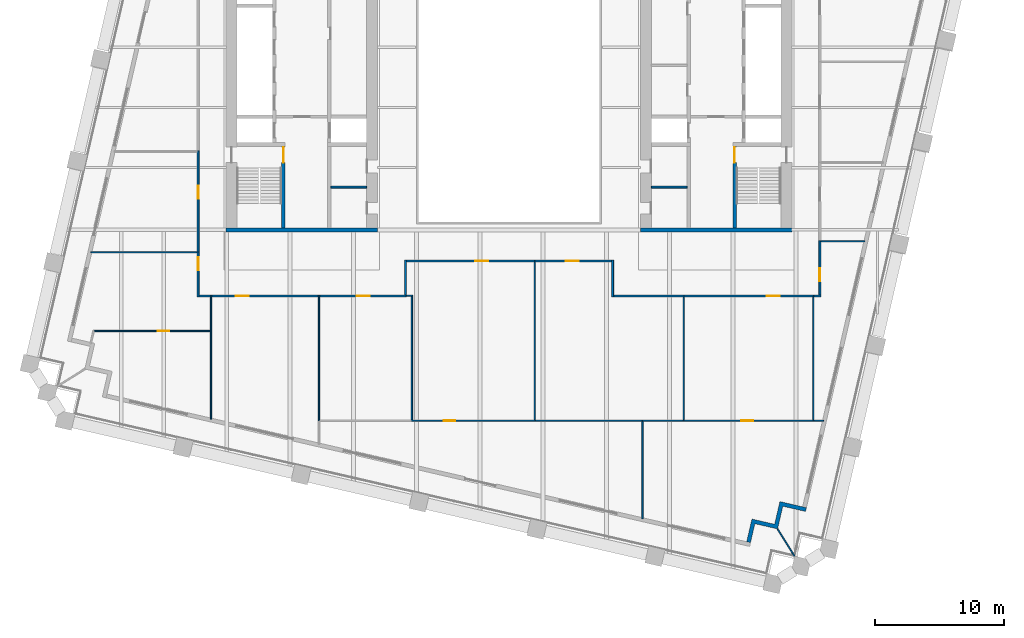
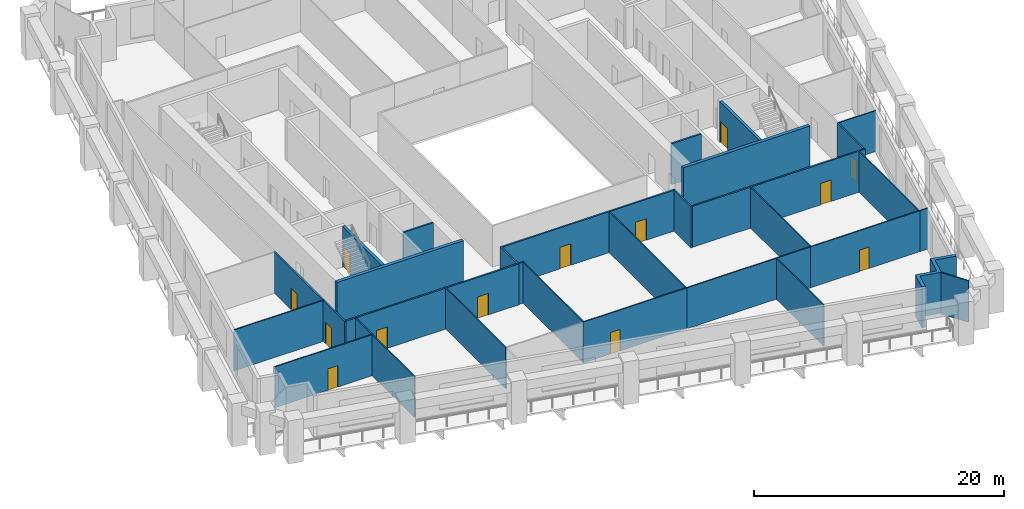
# One storey, part 4 of 10: 38 walls, 13 doors, 13 openings.
"""IFC4 building model written with IfcOpenShell, lengths in metres."""

from ifc_helpers import new_model, si_unit, direction, frame, frame_2d, origin, place, context, subcontext, project, spatial, polyline, rectangle, outline, extrude, material, layer, layer_set, type_object, element, fill, save


model = new_model("IFC4")

# Units and contexts
model_context = context("Model", 3, precision=1e-05, world=origin(), true_north=direction((0.0, 1.0)))
body_context = subcontext(model_context, "Body", "Model", "MODEL_VIEW")
ifc_project = project(units=[si_unit("LENGTHUNIT", "METRE"), si_unit("AREAUNIT", "SQUARE_METRE"), si_unit("VOLUMEUNIT", "CUBIC_METRE"), si_unit("PLANEANGLEUNIT", "RADIAN"), si_unit("MASSUNIT", "GRAM", prefix="KILO")], contexts=[model_context])

# Site, building, storey
site_placement = place(None, origin())
site = spatial("IfcSite", under=ifc_project, at=site_placement, CompositionType="ELEMENT")
building_placement = place(site_placement, origin())
building = spatial("IfcBuilding", under=site, at=building_placement, Name="Ogive Exchange Tower", CompositionType="ELEMENT")
storey_placement = place(building_placement, frame((0.0, 0.0, 118.199951171875)))
storey = spatial("IfcBuildingStorey", under=building, at=storey_placement, Name="L25", CompositionType="ELEMENT", Elevation=118.199951171875)

# Walls
ifc_material_1 = material(Name="Gypsum board partition")
ifc_layer_1 = layer(ifc_material_1, 0.14990234375)
ifc_layer_set_1 = layer_set([ifc_layer_1], Name="Core room partition 150 gypsum")
wall_type_1 = type_object("IfcWallType", Name="Core room partition 150 gypsum", PredefinedType="PARTITIONING", material=ifc_layer_set_1)
for number, where, z_axis, x_axis, name in (
    (1, (-13.75, 0.699951171875, 0.0), (0.0, 0.0, 1.0), (1.0, 0.0, 0.0), "W south room partition"),
    (2, (11.0, 0.699951171875, 0.0), (0.0, 0.0, 1.0), (1.0, 0.0, 0.0), "E south room partition"),
):
    element("IfcWall", number, at=place(storey_placement, frame(where, z_axis=z_axis, x_axis=x_axis)), inside=storey, type_object=wall_type_1, Name=name, PredefinedType="PARTITIONING", context=body_context, shape_type="SweptSolid", body=[
        extrude(rectangle(XDim=2.75, YDim=0.14990234375, at=frame_2d((1.375, 0.0))), origin(), (0.0, 0.0, 1.0), 4.0),
    ])

# Wall, opening, door
ifc_material_2 = material(Name="Fire partition EI 60 150")
ifc_layer_2 = layer(ifc_material_2, 0.14990234375)
ifc_layer_set_2 = layer_set([ifc_layer_2], Name="Fire partition EI 60 150")
wall_type_2 = type_object("IfcWallType", Name="Fire partition EI 60 150", PredefinedType="PARTITIONING", material=ifc_layer_set_2)
wall_1_placement = place(storey_placement, frame((-24.0, -7.77490234375, 0.0), z_axis=(0.0, 0.0, 1.0), x_axis=(0.0, 1.0, 0.0)))
wall_1 = element("IfcWall", 3, at=wall_1_placement, inside=storey, type_object=wall_type_2, Name="L25-PWL-003", PredefinedType="PARTITIONING", context=body_context, shape_type="SweptSolid", body=[
    extrude(rectangle(XDim=3.454833984375, YDim=0.14990234375, at=frame_2d((1.7275390625, 0.0))), origin(), (0.0, 0.0, 1.0), 4.0),
])
opening_1_placement = place(wall_1_placement, frame((2.054931640625, 0.0, 0.0)))
opening_1 = element("IfcOpeningElement", 4, at=opening_1_placement, cuts=wall_1, Name="Opening L25-I22", PredefinedType="OPENING", context=body_context, shape_type="SweptSolid", body=[
    extrude(rectangle(XDim=1.0, YDim=2.10009765625, at=frame_2d((0.5, 1.050048828125))), frame((0.0, 0.0849609375, 0.0), z_axis=(0.0, -1.0, 0.0), x_axis=(1.0, 0.0, 0.0)), (0.0, 0.0, 1.0), 0.169921875),
])
ifc_material_3 = material(Name="Fire door FD 30S 1000 x 2100")
door_type_1 = type_object("IfcDoorType", Name="Fire door FD 30S 1000 x 2100", OperationType="NOTDEFINED", PredefinedType="DOOR", material=ifc_material_3)
door_1_placement = place(opening_1_placement, origin())
door_1 = element("IfcDoor", 5, at=door_1_placement, inside=storey, type_object=door_type_1, Name="L25-IDR-022", ObjectType="DT3", OperationType="SINGLE_SWING_LEFT", OverallHeight=2.10009765625, OverallWidth=1.0, PredefinedType="DOOR", context=body_context, shape_type="SweptSolid", body=[
    extrude(rectangle(XDim=1.0, YDim=2.10009765625, at=frame_2d((0.5, 1.050048828125))), frame((0.0, 0.02490234375, 0.0), z_axis=(0.0, -1.0, 0.0), x_axis=(1.0, 0.0, 0.0)), (0.0, 0.0, 1.0), 0.050048828125),
])
fill(opening_1, door_1)

wall_2_placement = place(storey_placement, frame((-24.0, -4.320068359375, 0.0), z_axis=(0.0, 0.0, 1.0), x_axis=(0.0, 1.0, 0.0)))
wall_2 = element("IfcWall", 6, at=wall_2_placement, inside=storey, type_object=wall_type_2, Name="L25-PWL-005", PredefinedType="PARTITIONING", context=body_context, shape_type="SweptSolid", body=[
    extrude(rectangle(XDim=7.820068359375, YDim=0.14990234375, at=frame_2d((3.91015625, 0.0))), origin(), (0.0, 0.0, 1.0), 4.0),
])
opening_2_placement = place(wall_2_placement, frame((4.1201171875, 0.0, 0.0)))
opening_2 = element("IfcOpeningElement", 7, at=opening_2_placement, cuts=wall_2, Name="Opening L25-I21", PredefinedType="OPENING", context=body_context, shape_type="SweptSolid", body=[
    extrude(rectangle(XDim=1.0, YDim=2.10009765625, at=frame_2d((0.5, 1.050048828125))), frame((0.0, 0.0849609375, 0.0), z_axis=(0.0, -1.0, 0.0), x_axis=(1.0, 0.0, 0.0)), (0.0, 0.0, 1.0), 0.169921875),
])
door_2_placement = place(opening_2_placement, origin())
door_2 = element("IfcDoor", 8, at=door_2_placement, inside=storey, type_object=door_type_1, Name="L25-IDR-021", ObjectType="DT3", OperationType="SINGLE_SWING_LEFT", OverallHeight=2.10009765625, OverallWidth=1.0, PredefinedType="DOOR", context=body_context, shape_type="SweptSolid", body=[
    extrude(rectangle(XDim=1.0, YDim=2.10009765625, at=frame_2d((0.5, 1.050048828125))), frame((0.0, 0.02490234375, 0.0), z_axis=(0.0, -1.0, 0.0), x_axis=(1.0, 0.0, 0.0)), (0.0, 0.0, 1.0), 0.050048828125),
])
fill(opening_2, door_2)

# Wall
wall_3_placement = place(storey_placement, frame((-23.06005859375, -7.699951171875, 0.0), z_axis=(0.0, 0.0, 1.0), x_axis=(-1.0, 0.0, 0.0)))
element("IfcWall", 9, at=wall_3_placement, inside=storey, type_object=wall_type_2, Name="L25-PWL-013", PredefinedType="PARTITIONING", context=body_context, shape_type="SweptSolid", body=[
    extrude(rectangle(XDim=0.864990234375, YDim=0.14990234375, at=frame_2d((0.4326171875, 0.0))), origin(), (0.0, 0.0, 1.0), 4.0),
])

# Wall, opening, door
wall_4_placement = place(storey_placement, frame((-14.719970703125, -7.699951171875, 0.0), z_axis=(0.0, 0.0, 1.0), x_axis=(-1.0, 0.0, 0.0)))
wall_4 = element("IfcWall", 10, at=wall_4_placement, inside=storey, type_object=wall_type_2, Name="L25-PWL-017", PredefinedType="PARTITIONING", context=body_context, shape_type="SweptSolid", body=[
    extrude(rectangle(XDim=8.239990234375, YDim=0.14990234375, at=frame_2d((4.1201171875, 0.0))), origin(), (0.0, 0.0, 1.0), 4.0),
])
opening_3_placement = place(wall_4_placement, frame((5.389892578125, 0.0, 0.0)))
opening_3 = element("IfcOpeningElement", 11, at=opening_3_placement, cuts=wall_4, Name="Opening L25-I20", PredefinedType="OPENING", context=body_context, shape_type="SweptSolid", body=[
    extrude(rectangle(XDim=1.0, YDim=2.10009765625, at=frame_2d((0.5, 1.050048828125))), frame((0.0, 0.0849609375, 0.0), z_axis=(0.0, -1.0, 0.0), x_axis=(1.0, 0.0, 0.0)), (0.0, 0.0, 1.0), 0.169921875),
])
door_3_placement = place(opening_3_placement, origin())
door_3 = element("IfcDoor", 12, at=door_3_placement, inside=storey, type_object=door_type_1, Name="L25-IDR-020", ObjectType="DT3", OperationType="SINGLE_SWING_LEFT", OverallHeight=2.10009765625, OverallWidth=1.0, PredefinedType="DOOR", context=body_context, shape_type="SweptSolid", body=[
    extrude(rectangle(XDim=1.0, YDim=2.10009765625, at=frame_2d((0.5, 1.050048828125))), frame((0.0, 0.02490234375, 0.0), z_axis=(0.0, -1.0, 0.0), x_axis=(1.0, 0.0, 0.0)), (0.0, 0.0, 1.0), 0.050048828125),
])
fill(opening_3, door_3)

wall_5_placement = place(storey_placement, frame((-7.925048828125, -7.699951171875, 0.0), z_axis=(0.0, 0.0, 1.0), x_axis=(-1.0, 0.0, 0.0)))
wall_5 = element("IfcWall", 13, at=wall_5_placement, inside=storey, type_object=wall_type_2, Name="L25-PWL-021", PredefinedType="PARTITIONING", context=body_context, shape_type="SweptSolid", body=[
    extrude(rectangle(XDim=6.695068359375, YDim=0.14990234375, at=frame_2d((3.34765625, 0.0))), origin(), (0.0, 0.0, 1.0), 4.0),
])
opening_4_placement = place(wall_5_placement, frame((2.844970703125, 0.0, 0.0)))
opening_4 = element("IfcOpeningElement", 14, at=opening_4_placement, cuts=wall_5, Name="Opening L25-I03", PredefinedType="OPENING", context=body_context, shape_type="SweptSolid", body=[
    extrude(rectangle(XDim=1.0, YDim=2.10009765625, at=frame_2d((0.5, 1.050048828125))), frame((0.0, 0.0849609375, 0.0), z_axis=(0.0, -1.0, 0.0), x_axis=(1.0, 0.0, 0.0)), (0.0, 0.0, 1.0), 0.169921875),
])
door_4_placement = place(opening_4_placement, origin())
door_4 = element("IfcDoor", 15, at=door_4_placement, inside=storey, type_object=door_type_1, Name="L25-IDR-003", ObjectType="DT3", OperationType="SINGLE_SWING_LEFT", OverallHeight=2.10009765625, OverallWidth=1.0, PredefinedType="DOOR", context=body_context, shape_type="SweptSolid", body=[
    extrude(rectangle(XDim=1.0, YDim=2.10009765625, at=frame_2d((0.5, 1.050048828125))), frame((0.0, 0.02490234375, 0.0), z_axis=(0.0, -1.0, 0.0), x_axis=(1.0, 0.0, 0.0)), (0.0, 0.0, 1.0), 0.050048828125),
])
fill(opening_4, door_4)

# Wall
wall_6_placement = place(storey_placement, frame((-7.989990234375, -4.925048828125, 0.0), z_axis=(0.0, 0.0, 1.0), x_axis=(0.0, -1.0, 0.0)))
element("IfcWall", 16, at=wall_6_placement, inside=storey, type_object=wall_type_2, Name="L25-PWL-025", PredefinedType="PARTITIONING", context=body_context, shape_type="SweptSolid", body=[
    extrude(rectangle(XDim=2.68994140625, YDim=0.14990234375, at=frame_2d((1.344970703125, 0.0))), origin(), (0.0, 0.0, 1.0), 4.0),
])

# Wall, opening, door
wall_7_placement = place(storey_placement, frame((2.0400390625, -5.0, 0.0), z_axis=(0.0, 0.0, 1.0), x_axis=(-1.0, 0.0, 0.0)))
wall_7 = element("IfcWall", 17, at=wall_7_placement, inside=storey, type_object=wall_type_2, Name="L25-PWL-032", PredefinedType="PARTITIONING", context=body_context, shape_type="SweptSolid", body=[
    extrude(rectangle(XDim=9.955078125, YDim=0.14990234375, at=frame_2d((4.9775390625, 0.0))), origin(), (0.0, 0.0, 1.0), 4.0),
])
opening_5_placement = place(wall_7_placement, frame((3.6298828125, 0.0, 0.0)))
opening_5 = element("IfcOpeningElement", 18, at=opening_5_placement, cuts=wall_7, Name="Opening L25-I04", PredefinedType="OPENING", context=body_context, shape_type="SweptSolid", body=[
    extrude(rectangle(XDim=1.0, YDim=2.10009765625, at=frame_2d((0.5, 1.050048828125))), frame((0.0, 0.0849609375, 0.0), z_axis=(0.0, -1.0, 0.0), x_axis=(1.0, 0.0, 0.0)), (0.0, 0.0, 1.0), 0.169921875),
])
door_5_placement = place(opening_5_placement, origin())
door_5 = element("IfcDoor", 19, at=door_5_placement, inside=storey, type_object=door_type_1, Name="L25-IDR-004", ObjectType="DT3", OperationType="SINGLE_SWING_RIGHT", OverallHeight=2.10009765625, OverallWidth=1.0, PredefinedType="DOOR", context=body_context, shape_type="SweptSolid", body=[
    extrude(rectangle(XDim=1.0, YDim=2.10009765625, at=frame_2d((0.5, 1.050048828125))), frame((0.0, 0.02490234375, 0.0), z_axis=(0.0, -1.0, 0.0), x_axis=(1.0, 0.0, 0.0)), (0.0, 0.0, 1.0), 0.050048828125),
])
fill(opening_5, door_5)

# Wall
wall_8_placement = place(storey_placement, frame((8.0, -7.77490234375, 0.0), z_axis=(0.0, 0.0, 1.0), x_axis=(0.0, 1.0, 0.0)))
element("IfcWall", 20, at=wall_8_placement, inside=storey, type_object=wall_type_2, Name="L25-PWL-041", PredefinedType="PARTITIONING", context=body_context, shape_type="SweptSolid", body=[
    extrude(rectangle(XDim=2.849853515625, YDim=0.14990234375, at=frame_2d((1.4248046875, 0.0))), origin(), (0.0, 0.0, 1.0), 4.0),
])

# Wall, opening, door
wall_9_placement = place(storey_placement, frame((7.925048828125, -5.0, 0.0), z_axis=(0.0, 0.0, 1.0), x_axis=(-1.0, 0.0, 0.0)))
wall_9 = element("IfcWall", 21, at=wall_9_placement, inside=storey, type_object=wall_type_2, Name="L25-PWL-042", PredefinedType="PARTITIONING", context=body_context, shape_type="SweptSolid", body=[
    extrude(rectangle(XDim=5.93505859375, YDim=0.14990234375, at=frame_2d((2.967529296875, 0.0))), origin(), (0.0, 0.0, 1.0), 4.0),
])
opening_6_placement = place(wall_9_placement, frame((2.534912109375, 0.0, 0.0)))
opening_6 = element("IfcOpeningElement", 22, at=opening_6_placement, cuts=wall_9, Name="Opening L25-I05", PredefinedType="OPENING", context=body_context, shape_type="SweptSolid", body=[
    extrude(rectangle(XDim=1.0, YDim=2.10009765625, at=frame_2d((0.5, 1.050048828125))), frame((0.0, 0.0849609375, 0.0), z_axis=(0.0, -1.0, 0.0), x_axis=(1.0, 0.0, 0.0)), (0.0, 0.0, 1.0), 0.169921875),
])
door_6_placement = place(opening_6_placement, origin())
door_6 = element("IfcDoor", 23, at=door_6_placement, inside=storey, type_object=door_type_1, Name="L25-IDR-005", ObjectType="DT3", OperationType="SINGLE_SWING_LEFT", OverallHeight=2.10009765625, OverallWidth=1.0, PredefinedType="DOOR", context=body_context, shape_type="SweptSolid", body=[
    extrude(rectangle(XDim=1.0, YDim=2.10009765625, at=frame_2d((0.5, 1.050048828125))), frame((0.0, 0.02490234375, 0.0), z_axis=(0.0, -1.0, 0.0), x_axis=(1.0, 0.0, 0.0)), (0.0, 0.0, 1.0), 0.050048828125),
])
fill(opening_6, door_6)

# Wall
wall_10_placement = place(storey_placement, frame((13.5, -7.699951171875, 0.0), z_axis=(0.0, 0.0, 1.0), x_axis=(-1.0, 0.0, 0.0)))
element("IfcWall", 24, at=wall_10_placement, inside=storey, type_object=wall_type_2, Name="L25-PWL-047", PredefinedType="PARTITIONING", context=body_context, shape_type="SweptSolid", body=[
    extrude(rectangle(XDim=5.425048828125, YDim=0.14990234375, at=frame_2d((2.71240234375, 0.0))), origin(), (0.0, 0.0, 1.0), 4.0),
])

# Wall, opening, door
wall_11_placement = place(storey_placement, frame((23.550048828125, -7.699951171875, 0.0), z_axis=(0.0, 0.0, 1.0), x_axis=(-1.0, 0.0, 0.0)))
wall_11 = element("IfcWall", 25, at=wall_11_placement, inside=storey, type_object=wall_type_2, Name="L25-PWL-054", PredefinedType="PARTITIONING", context=body_context, shape_type="SweptSolid", body=[
    extrude(rectangle(XDim=10.050048828125, YDim=0.14990234375, at=frame_2d((5.02490234375, 0.0))), origin(), (0.0, 0.0, 1.0), 4.0),
])
opening_7_placement = place(wall_11_placement, frame((2.64990234375, 0.0, 0.0)))
opening_7 = element("IfcOpeningElement", 26, at=opening_7_placement, cuts=wall_11, Name="Opening L25-I06", PredefinedType="OPENING", context=body_context, shape_type="SweptSolid", body=[
    extrude(rectangle(XDim=1.0, YDim=2.10009765625, at=frame_2d((0.5, 1.050048828125))), frame((0.0, 0.0849609375, 0.0), z_axis=(0.0, -1.0, 0.0), x_axis=(1.0, 0.0, 0.0)), (0.0, 0.0, 1.0), 0.169921875),
])
door_7_placement = place(opening_7_placement, origin())
door_7 = element("IfcDoor", 27, at=door_7_placement, inside=storey, type_object=door_type_1, Name="L25-IDR-006", ObjectType="DT3", OperationType="SINGLE_SWING_RIGHT", OverallHeight=2.10009765625, OverallWidth=1.0, PredefinedType="DOOR", context=body_context, shape_type="SweptSolid", body=[
    extrude(rectangle(XDim=1.0, YDim=2.10009765625, at=frame_2d((0.5, 1.050048828125))), frame((0.0, 0.02490234375, 0.0), z_axis=(0.0, -1.0, 0.0), x_axis=(1.0, 0.0, 0.0)), (0.0, 0.0, 1.0), 0.050048828125),
])
fill(opening_7, door_7)

# Wall
wall_12_placement = place(storey_placement, frame((24.074951171875, -7.699951171875, 0.0), z_axis=(0.0, 0.0, 1.0), x_axis=(-1.0, 0.0, 0.0)))
element("IfcWall", 28, at=wall_12_placement, inside=storey, type_object=wall_type_2, Name="L25-PWL-056", PredefinedType="PARTITIONING", context=body_context, shape_type="SweptSolid", body=[
    extrude(rectangle(XDim=0.52490234375, YDim=0.14990234375, at=frame_2d((0.262451171875, 0.0))), origin(), (0.0, 0.0, 1.0), 4.0),
])

# Wall, opening, door
wall_13_placement = place(storey_placement, frame((24.0, -3.429931640625, 0.0), z_axis=(0.0, 0.0, 1.0), x_axis=(0.0, -1.0, 0.0)))
wall_13 = element("IfcWall", 29, at=wall_13_placement, inside=storey, type_object=wall_type_2, Name="L25-PWL-057", PredefinedType="PARTITIONING", context=body_context, shape_type="SweptSolid", body=[
    extrude(rectangle(XDim=4.195068359375, YDim=0.14990234375, at=frame_2d((2.09765625, 0.0))), origin(), (0.0, 0.0, 1.0), 4.0),
])
opening_8_placement = place(wall_13_placement, frame((2.1201171875, 0.0, 0.0)))
opening_8 = element("IfcOpeningElement", 30, at=opening_8_placement, cuts=wall_13, Name="Opening L25-I07", PredefinedType="OPENING", context=body_context, shape_type="SweptSolid", body=[
    extrude(rectangle(XDim=1.0, YDim=2.10009765625, at=frame_2d((0.5, 1.050048828125))), frame((0.0, 0.0849609375, 0.0), z_axis=(0.0, -1.0, 0.0), x_axis=(1.0, 0.0, 0.0)), (0.0, 0.0, 1.0), 0.169921875),
])
door_8_placement = place(opening_8_placement, origin())
door_8 = element("IfcDoor", 31, at=door_8_placement, inside=storey, type_object=door_type_1, Name="L25-IDR-007", ObjectType="DT3", OperationType="SINGLE_SWING_RIGHT", OverallHeight=2.10009765625, OverallWidth=1.0, PredefinedType="DOOR", context=body_context, shape_type="SweptSolid", body=[
    extrude(rectangle(XDim=1.0, YDim=2.10009765625, at=frame_2d((0.5, 1.050048828125))), frame((0.0, 0.02490234375, 0.0), z_axis=(0.0, -1.0, 0.0), x_axis=(1.0, 0.0, 0.0)), (0.0, 0.0, 1.0), 0.050048828125),
])
fill(opening_8, door_8)

# Walls
ifc_material_4 = material(Name="Precast concrete C40/50", Category="concrete")
ifc_layer_3 = layer(ifc_material_4, 0.300048828125)
ifc_layer_set_3 = layer_set([ifc_layer_3], Name="Limestone-faced wall 300")
wall_type_3 = type_object("IfcWallType", Name="Limestone-faced wall 300", PredefinedType="STANDARD", material=ifc_layer_set_3)
wall_14_placement = place(storey_placement, origin())
element("IfcWall", 32, at=wall_14_placement, inside=storey, type_object=wall_type_3, Name="External corner wall C1", PredefinedType="STANDARD", context=body_context, shape_type="SweptSolid", body=[
    extrude(outline(polyline([(20.515380859375, -25.330810546875), (20.92041015625, -23.576904296875), (22.966552734375, -24.04931640625), (22.89892578125, -24.341552734375), (21.145263671875, -23.936767578125), (20.740234375, -25.690673828125), (18.986328125, -25.28564453125), (18.64892578125, -26.747314453125), (18.356689453125, -26.6796875), (18.76171875, -24.92578125), (20.515380859375, -25.330810546875)])), origin(), (0.0, 0.0, 1.0), 4.0),
])
ifc_material_5 = material(Name="Laminated safety glass in steel frame", Category="steel")
ifc_layer_4 = layer(ifc_material_5, 0.10009765625)
ifc_layer_set_4 = layer_set([ifc_layer_4], Name="Loggia end screen 100")
wall_type_4 = type_object("IfcWallType", Name="Loggia end screen 100", PredefinedType="STANDARD", material=ifc_layer_set_4)
wall_15_placement = place(storey_placement, frame((20.740234375, -25.690673828125, -0.050048828125), z_axis=(0.0, 0.0, 1.0), x_axis=(0.529972121605, -0.848015064914, 0.0)))
element("IfcWall", 33, at=wall_15_placement, inside=storey, type_object=wall_type_4, Name="Loggia end screen C1", PredefinedType="STANDARD", context=body_context, shape_type="SweptSolid", body=[
    extrude(rectangle(XDim=2.454833984375, YDim=0.10009765625, at=frame_2d((1.2275390625, 0.0))), origin(), (0.0, 0.0, 1.0), 4.050048828125),
])
ifc_material_6 = material(Name="Partition 100 gypsum")
ifc_layer_5 = layer(ifc_material_6, 0.10009765625)
ifc_layer_set_5 = layer_set([ifc_layer_5], Name="Partition 100 gypsum")
wall_type_5 = type_object("IfcWallType", Name="Partition 100 gypsum", PredefinedType="PARTITIONING", material=ifc_layer_set_5)
wall_16_placement = place(storey_placement, frame((-24.074951171875, -4.320068359375, 0.0), z_axis=(0.0, 0.0, 1.0), x_axis=(-1.0, 0.0, 0.0)))
element("IfcWall", 34, at=wall_16_placement, inside=storey, type_object=wall_type_5, Name="L25-PWL-004", PredefinedType="PARTITIONING", context=body_context, shape_type="SweptSolid", body=[
    extrude(rectangle(XDim=8.217041015625, YDim=0.10009765625, at=frame_2d((4.1083984375, 0.0))), origin(), (0.0, 0.0, 1.0), 4.0),
])
wall_17_placement = place(storey_placement, frame((-23.010009765625, -17.2119140625, 0.0), z_axis=(0.0, 0.0, 1.0), x_axis=(0.0, 1.0, 0.0)))
element("IfcWall", 35, at=wall_17_placement, inside=storey, type_object=wall_type_5, Name="L25-PWL-010", PredefinedType="PARTITIONING", context=body_context, shape_type="SweptSolid", body=[
    extrude(rectangle(XDim=6.851806640625, YDim=0.10009765625, at=frame_2d((3.42578125, 0.0))), origin(), (0.0, 0.0, 1.0), 4.0),
])

# Wall, opening, door
wall_18_placement = place(storey_placement, frame((-23.06005859375, -10.409912109375, 0.0), z_axis=(0.0, 0.0, 1.0), x_axis=(-1.0, 0.0, 0.0)))
wall_18 = element("IfcWall", 36, at=wall_18_placement, inside=storey, type_object=wall_type_5, Name="L25-PWL-011", PredefinedType="PARTITIONING", context=body_context, shape_type="SweptSolid", body=[
    extrude(rectangle(XDim=8.969970703125, YDim=0.10009765625, at=frame_2d((4.48486328125, 0.0))), origin(), (0.0, 0.0, 1.0), 4.0),
])
opening_9_placement = place(wall_18_placement, frame((3.169921875, 0.0, 0.0)))
opening_9 = element("IfcOpeningElement", 37, at=opening_9_placement, cuts=wall_18, Name="Opening L25-I23", PredefinedType="OPENING", context=body_context, shape_type="SweptSolid", body=[
    extrude(rectangle(XDim=0.89990234375, YDim=2.10009765625, at=frame_2d((0.449951171875, 1.050048828125))), frame((0.0, 0.06005859375, 0.0), z_axis=(0.0, -1.0, 0.0), x_axis=(1.0, 0.0, 0.0)), (0.0, 0.0, 1.0), 0.1201171875),
])
ifc_material_7 = material(Name="Door 900 x 2100")
door_type_2 = type_object("IfcDoorType", Name="Door 900 x 2100", OperationType="NOTDEFINED", PredefinedType="DOOR", material=ifc_material_7)
door_9_placement = place(opening_9_placement, origin())
door_9 = element("IfcDoor", 38, at=door_9_placement, inside=storey, type_object=door_type_2, Name="L25-IDR-023", ObjectType="DT1", OperationType="SINGLE_SWING_RIGHT", OverallHeight=2.10009765625, OverallWidth=0.89990234375, PredefinedType="DOOR", context=body_context, shape_type="SweptSolid", body=[
    extrude(rectangle(XDim=0.89990234375, YDim=2.10009765625, at=frame_2d((0.449951171875, 1.050048828125))), frame((0.0, 0.02490234375, 0.0), z_axis=(0.0, -1.0, 0.0), x_axis=(1.0, 0.0, 0.0)), (0.0, 0.0, 1.0), 0.050048828125),
])
fill(opening_9, door_9)

# Walls
wall_19_placement = place(storey_placement, frame((-23.010009765625, -10.360107421875, 0.0), z_axis=(0.0, 0.0, 1.0), x_axis=(0.0, 1.0, 0.0)))
element("IfcWall", 39, at=wall_19_placement, inside=storey, type_object=wall_type_5, Name="L25-PWL-012", PredefinedType="PARTITIONING", context=body_context, shape_type="SweptSolid", body=[
    extrude(rectangle(XDim=2.735107421875, YDim=0.10009765625, at=frame_2d((1.36767578125, 0.0))), origin(), (0.0, 0.0, 1.0), 4.0),
])
wall_20_placement = place(storey_placement, frame((-14.669921875, -17.389892578125, 0.0), z_axis=(0.0, 0.0, 1.0), x_axis=(0.0, 1.0, 0.0)))
element("IfcWall", 40, at=wall_20_placement, inside=storey, type_object=wall_type_5, Name="L25-PWL-015", PredefinedType="PARTITIONING", context=body_context, shape_type="SweptSolid", body=[
    extrude(rectangle(XDim=9.764892578125, YDim=0.10009765625, at=frame_2d((4.88232421875, 0.0))), origin(), (0.0, 0.0, 1.0), 4.0),
])
wall_21_placement = place(storey_placement, frame((-7.925048828125, -7.68994140625, 0.0), z_axis=(0.0, 0.0, 1.0), x_axis=(1.0, 0.0, 0.0)))
element("IfcWall", 41, at=wall_21_placement, inside=storey, type_object=wall_type_5, Name="L25-PWL-024", PredefinedType="PARTITIONING", context=body_context, shape_type="SweptSolid", body=[
    extrude(rectangle(XDim=0.47509765625, YDim=0.10009765625, at=frame_2d((0.237548828125, 0.0))), origin(), (0.0, 0.0, 1.0), 4.0),
])

# Wall, opening, door
wall_22_placement = place(storey_placement, frame((-7.550048828125, -17.340087890625, 0.0), z_axis=(0.0, 0.0, 1.0), x_axis=(1.0, 0.0, 0.0)))
wall_22 = element("IfcWall", 42, at=wall_22_placement, inside=storey, type_object=wall_type_5, Name="L25-PWL-026", PredefinedType="PARTITIONING", context=body_context, shape_type="SweptSolid", body=[
    extrude(rectangle(XDim=9.590087890625, YDim=0.10009765625, at=frame_2d((4.794921875, 0.0))), origin(), (0.0, 0.0, 1.0), 4.0),
])
opening_10_placement = place(wall_22_placement, frame((2.5, 0.0, 0.0)))
opening_10 = element("IfcOpeningElement", 43, at=opening_10_placement, cuts=wall_22, Name="Opening L25-I01", PredefinedType="OPENING", context=body_context, shape_type="SweptSolid", body=[
    extrude(rectangle(XDim=0.89990234375, YDim=2.10009765625, at=frame_2d((0.449951171875, 1.050048828125))), frame((0.0, 0.06005859375, 0.0), z_axis=(0.0, -1.0, 0.0), x_axis=(1.0, 0.0, 0.0)), (0.0, 0.0, 1.0), 0.1201171875),
])
door_10_placement = place(opening_10_placement, frame((0.89990234375, 0.0, 0.0), z_axis=(0.0, 0.0, 1.0), x_axis=(-1.0, 0.0, 0.0)))
door_10 = element("IfcDoor", 44, at=door_10_placement, inside=storey, type_object=door_type_2, Name="L25-IDR-001", ObjectType="DT1", OperationType="SINGLE_SWING_LEFT", OverallHeight=2.10009765625, OverallWidth=0.89990234375, PredefinedType="DOOR", context=body_context, shape_type="SweptSolid", body=[
    extrude(rectangle(XDim=0.89990234375, YDim=2.10009765625, at=frame_2d((0.449951171875, 1.050048828125))), frame((0.0, 0.02490234375, 0.0), z_axis=(0.0, -1.0, 0.0), x_axis=(1.0, 0.0, 0.0)), (0.0, 0.0, 1.0), 0.050048828125),
])
fill(opening_10, door_10)

# Walls
wall_23_placement = place(storey_placement, frame((-7.5, -7.739990234375, 0.0), z_axis=(0.0, 0.0, 1.0), x_axis=(0.0, -1.0, 0.0)))
element("IfcWall", 45, at=wall_23_placement, inside=storey, type_object=wall_type_5, Name="L25-PWL-027", PredefinedType="PARTITIONING", context=body_context, shape_type="SweptSolid", body=[
    extrude(rectangle(XDim=9.550048828125, YDim=0.10009765625, at=frame_2d((4.77490234375, 0.0))), origin(), (0.0, 0.0, 1.0), 4.0),
])
wall_24_placement = place(storey_placement, frame((2.0400390625, -17.340087890625, 0.0), z_axis=(0.0, 0.0, 1.0), x_axis=(1.0, 0.0, 0.0)))
element("IfcWall", 46, at=wall_24_placement, inside=storey, type_object=wall_type_5, Name="L25-PWL-031", PredefinedType="PARTITIONING", context=body_context, shape_type="SweptSolid", body=[
    extrude(rectangle(XDim=8.330078125, YDim=0.10009765625, at=frame_2d((4.1650390625, 0.0))), origin(), (0.0, 0.0, 1.0), 4.0),
])
wall_25_placement = place(storey_placement, frame((1.989990234375, -5.074951171875, 0.0), z_axis=(0.0, 0.0, 1.0), x_axis=(0.0, -1.0, 0.0)))
element("IfcWall", 47, at=wall_25_placement, inside=storey, type_object=wall_type_5, Name="L25-PWL-033", PredefinedType="PARTITIONING", context=body_context, shape_type="SweptSolid", body=[
    extrude(rectangle(XDim=12.215087890625, YDim=0.10009765625, at=frame_2d((6.107421875, 0.0))), origin(), (0.0, 0.0, 1.0), 4.0),
])
wall_26_placement = place(storey_placement, frame((10.320068359375, -17.389892578125, 0.0), z_axis=(0.0, 0.0, 1.0), x_axis=(0.0, -1.0, 0.0)))
element("IfcWall", 48, at=wall_26_placement, inside=storey, type_object=wall_type_5, Name="L25-PWL-044", PredefinedType="PARTITIONING", context=body_context, shape_type="SweptSolid", body=[
    extrude(rectangle(XDim=7.51708984375, YDim=0.10009765625, at=frame_2d((3.758544921875, 0.0))), origin(), (0.0, 0.0, 1.0), 4.0),
])
wall_27_placement = place(storey_placement, frame((10.320068359375, -17.340087890625, 0.0), z_axis=(0.0, 0.0, 1.0), x_axis=(1.0, 0.0, 0.0)))
element("IfcWall", 49, at=wall_27_placement, inside=storey, type_object=wall_type_5, Name="L25-PWL-045", PredefinedType="PARTITIONING", context=body_context, shape_type="SweptSolid", body=[
    extrude(rectangle(XDim=3.1298828125, YDim=0.10009765625, at=frame_2d((1.56494140625, 0.0))), origin(), (0.0, 0.0, 1.0), 4.0),
])

# Wall, opening, door
wall_28_placement = place(storey_placement, frame((13.449951171875, -17.340087890625, 0.0), z_axis=(0.0, 0.0, 1.0), x_axis=(1.0, 0.0, 0.0)))
wall_28 = element("IfcWall", 50, at=wall_28_placement, inside=storey, type_object=wall_type_5, Name="L25-PWL-046", PredefinedType="PARTITIONING", context=body_context, shape_type="SweptSolid", body=[
    extrude(rectangle(XDim=10.10009765625, YDim=0.10009765625, at=frame_2d((5.050048828125, 0.0))), origin(), (0.0, 0.0, 1.0), 4.0),
])
opening_11_placement = place(wall_28_placement, frame((4.5, 0.0, 0.0)))
opening_11 = element("IfcOpeningElement", 51, at=opening_11_placement, cuts=wall_28, Name="Opening L25-I02", PredefinedType="OPENING", context=body_context, shape_type="SweptSolid", body=[
    extrude(rectangle(XDim=0.89990234375, YDim=2.10009765625, at=frame_2d((0.449951171875, 1.050048828125))), frame((0.0, 0.06005859375, 0.0), z_axis=(0.0, -1.0, 0.0), x_axis=(1.0, 0.0, 0.0)), (0.0, 0.0, 1.0), 0.1201171875),
])
door_11_placement = place(opening_11_placement, origin())
door_11 = element("IfcDoor", 52, at=door_11_placement, inside=storey, type_object=door_type_2, Name="L25-IDR-002", ObjectType="DT1", OperationType="SINGLE_SWING_RIGHT", OverallHeight=2.10009765625, OverallWidth=0.89990234375, PredefinedType="DOOR", context=body_context, shape_type="SweptSolid", body=[
    extrude(rectangle(XDim=0.89990234375, YDim=2.10009765625, at=frame_2d((0.449951171875, 1.050048828125))), frame((0.0, 0.02490234375, 0.0), z_axis=(0.0, -1.0, 0.0), x_axis=(1.0, 0.0, 0.0)), (0.0, 0.0, 1.0), 0.050048828125),
])
fill(opening_11, door_11)

# Walls
wall_29_placement = place(storey_placement, frame((13.5, -7.77490234375, 0.0), z_axis=(0.0, 0.0, 1.0), x_axis=(0.0, -1.0, 0.0)))
element("IfcWall", 53, at=wall_29_placement, inside=storey, type_object=wall_type_5, Name="L25-PWL-048", PredefinedType="PARTITIONING", context=body_context, shape_type="SweptSolid", body=[
    extrude(rectangle(XDim=9.51513671875, YDim=0.10009765625, at=frame_2d((4.757568359375, 0.0))), origin(), (0.0, 0.0, 1.0), 4.0),
])
wall_30_placement = place(storey_placement, frame((23.550048828125, -17.340087890625, 0.0), z_axis=(0.0, 0.0, 1.0), x_axis=(1.0, 0.0, 0.0)))
element("IfcWall", 54, at=wall_30_placement, inside=storey, type_object=wall_type_5, Name="L25-PWL-053", PredefinedType="PARTITIONING", context=body_context, shape_type="SweptSolid", body=[
    extrude(rectangle(XDim=0.739990234375, YDim=0.10009765625, at=frame_2d((0.3701171875, 0.0))), origin(), (0.0, 0.0, 1.0), 4.0),
])
wall_31_placement = place(storey_placement, frame((23.5, -7.77490234375, 0.0), z_axis=(0.0, 0.0, 1.0), x_axis=(0.0, -1.0, 0.0)))
element("IfcWall", 55, at=wall_31_placement, inside=storey, type_object=wall_type_5, Name="L25-PWL-055", PredefinedType="PARTITIONING", context=body_context, shape_type="SweptSolid", body=[
    extrude(rectangle(XDim=9.51513671875, YDim=0.10009765625, at=frame_2d((4.757568359375, 0.0))), origin(), (0.0, 0.0, 1.0), 4.0),
])
wall_32_placement = place(storey_placement, frame((24.074951171875, -3.47998046875, 0.0), z_axis=(0.0, 0.0, 1.0), x_axis=(1.0, 0.0, 0.0)))
element("IfcWall", 56, at=wall_32_placement, inside=storey, type_object=wall_type_5, Name="L25-PWL-058", PredefinedType="PARTITIONING", context=body_context, shape_type="SweptSolid", body=[
    extrude(rectangle(XDim=3.4150390625, YDim=0.10009765625, at=frame_2d((1.70751953125, 0.0))), origin(), (0.0, 0.0, 1.0), 4.0),
])

# Wall, opening, door
ifc_material_8 = material(Name="Concrete C70/85", Category="concrete")
ifc_layer_6 = layer(ifc_material_8, 0.25)
ifc_layer_set_6 = layer_set([ifc_layer_6], Name="RC core wall 250 C70/85")
wall_type_6 = type_object("IfcWallType", Name="RC core wall 250 C70/85", PredefinedType="SHEAR", material=ifc_layer_set_6)
wall_33_placement = place(storey_placement, frame((-17.425048828125, -2.449951171875, 0.0), z_axis=(0.0, 0.0, 1.0), x_axis=(0.0, 1.0, 0.0)))
wall_33 = element("IfcWall", 57, at=wall_33_placement, inside=storey, type_object=wall_type_6, Name="W stair S front wall", PredefinedType="SHEAR", context=body_context, shape_type="SweptSolid", body=[
    extrude(rectangle(XDim=6.300048828125, YDim=0.25, at=frame_2d((3.14990234375, 0.0))), origin(), (0.0, 0.0, 1.0), 4.0),
])
opening_12_placement = place(wall_33_placement, frame((5.050048828125, 0.0, 0.0)))
opening_12 = element("IfcOpeningElement", 58, at=opening_12_placement, cuts=wall_33, Name="Opening L25-C12", PredefinedType="OPENING", context=body_context, shape_type="SweptSolid", body=[
    extrude(rectangle(XDim=1.199951171875, YDim=2.10009765625, at=frame_2d((0.60009765625, 1.050048828125))), frame((0.0, 0.135009765625, 0.0), z_axis=(0.0, -1.0, 0.0), x_axis=(1.0, 0.0, 0.0)), (0.0, 0.0, 1.0), 0.27001953125),
])
ifc_material_9 = material(Name="Steel fire door", Category="steel")
door_type_3 = type_object("IfcDoorType", Name="Stair door FD90 1200 x 2100", OperationType="NOTDEFINED", PredefinedType="DOOR", material=ifc_material_9)
door_12_placement = place(opening_12_placement, origin())
door_12 = element("IfcDoor", 59, at=door_12_placement, inside=storey, type_object=door_type_3, Name="Stair door", ObjectType="CD5", OperationType="SINGLE_SWING_LEFT", OverallHeight=2.10009765625, OverallWidth=1.199951171875, PredefinedType="DOOR", context=body_context, shape_type="SweptSolid", body=[
    extrude(rectangle(XDim=1.199951171875, YDim=2.10009765625, at=frame_2d((0.60009765625, 1.050048828125))), frame((0.0, 0.02490234375, 0.0), z_axis=(0.0, -1.0, 0.0), x_axis=(1.0, 0.0, 0.0)), (0.0, 0.0, 1.0), 0.050048828125),
])
fill(opening_12, door_12)

wall_34_placement = place(storey_placement, frame((17.425048828125, -2.449951171875, 0.0), z_axis=(0.0, 0.0, 1.0), x_axis=(0.0, 1.0, 0.0)))
wall_34 = element("IfcWall", 60, at=wall_34_placement, inside=storey, type_object=wall_type_6, Name="E stair S front wall", PredefinedType="SHEAR", context=body_context, shape_type="SweptSolid", body=[
    extrude(rectangle(XDim=6.300048828125, YDim=0.25, at=frame_2d((3.14990234375, 0.0))), origin(), (0.0, 0.0, 1.0), 4.0),
])
opening_13_placement = place(wall_34_placement, frame((5.050048828125, 0.0, 0.0)))
opening_13 = element("IfcOpeningElement", 61, at=opening_13_placement, cuts=wall_34, Name="Opening L25-C30", PredefinedType="OPENING", context=body_context, shape_type="SweptSolid", body=[
    extrude(rectangle(XDim=1.199951171875, YDim=2.10009765625, at=frame_2d((0.60009765625, 1.050048828125))), frame((0.0, 0.135009765625, 0.0), z_axis=(0.0, -1.0, 0.0), x_axis=(1.0, 0.0, 0.0)), (0.0, 0.0, 1.0), 0.27001953125),
])
door_13_placement = place(opening_13_placement, frame((1.199951171875, 0.0, 0.0), z_axis=(0.0, 0.0, 1.0), x_axis=(-1.0, 0.0, 0.0)))
door_13 = element("IfcDoor", 62, at=door_13_placement, inside=storey, type_object=door_type_3, Name="Stair door", ObjectType="CD5", OperationType="SINGLE_SWING_RIGHT", OverallHeight=2.10009765625, OverallWidth=1.199951171875, PredefinedType="DOOR", context=body_context, shape_type="SweptSolid", body=[
    extrude(rectangle(XDim=1.199951171875, YDim=2.10009765625, at=frame_2d((0.60009765625, 1.050048828125))), frame((0.0, 0.02490234375, 0.0), z_axis=(0.0, -1.0, 0.0), x_axis=(1.0, 0.0, 0.0)), (0.0, 0.0, 1.0), 0.050048828125),
])
fill(opening_13, door_13)

# Walls
ifc_layer_7 = layer(ifc_material_8, 0.300048828125)
ifc_layer_set_7 = layer_set([ifc_layer_7], Name="RC core wall 300 C70/85")
wall_type_7 = type_object("IfcWallType", Name="RC core wall 300 C70/85", PredefinedType="SHEAR", material=ifc_layer_set_7)
for number, where, z_axis, x_axis, name in (
    (63, (-21.85009765625, -2.60009765625, 0.0), (0.0, 0.0, 1.0), (1.0, 0.0, 0.0), "W south end wall"),
    (64, (10.14990234375, -2.60009765625, 0.0), (0.0, 0.0, 1.0), (1.0, 0.0, 0.0), "E south end wall"),
):
    element("IfcWall", number, at=place(storey_placement, frame(where, z_axis=z_axis, x_axis=x_axis)), inside=storey, type_object=wall_type_7, Name=name, PredefinedType="SHEAR", context=body_context, shape_type="SweptSolid", body=[
        extrude(rectangle(XDim=11.7001953125, YDim=0.300048828125, at=frame_2d((5.85009765625, 0.0))), origin(), (0.0, 0.0, 1.0), 4.0),
    ])

save(model, "model.ifc")
